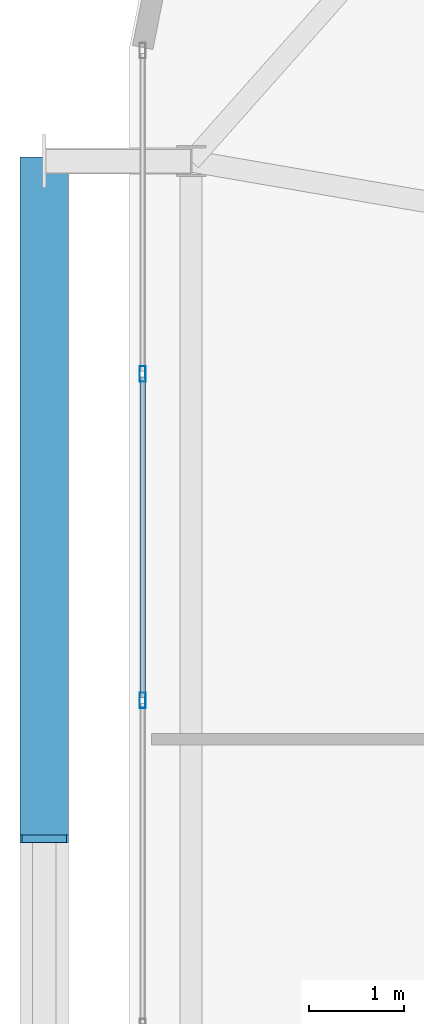
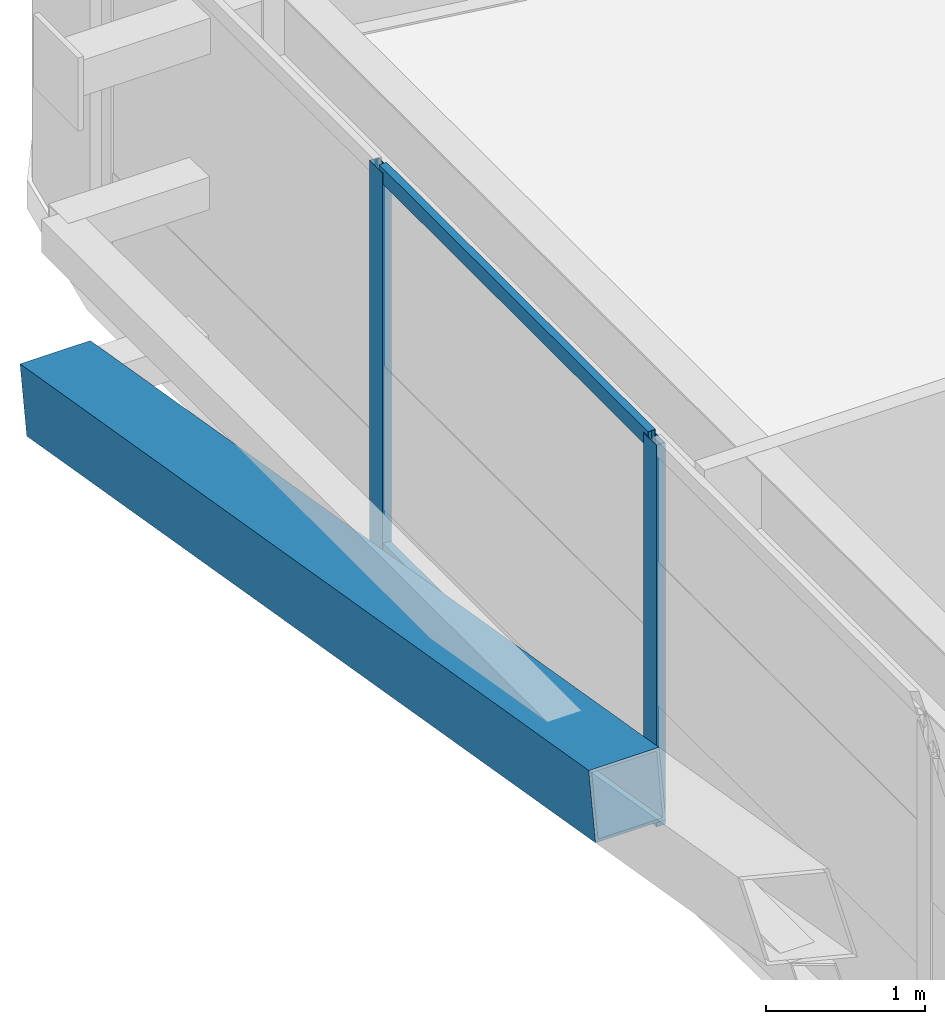
# One storey, part 18 of 58: 5 members, 1 element without a shape of its own.
"""IFC4 building model written with IfcOpenShell, lengths in metres."""

import ifcopenshell
import ifcopenshell.guid

model = None  # the IFC model being written
_history = None  # IfcOwnerHistory: only IFC2X3 demands one
_inside = {}  # id of a spatial element -> (the spatial element, [elements in it])
_under = {}  # id of a project, library or spatial element -> (it, [spatial elements below it])
_declared = {}  # id of a project -> (the project, [libraries it declares])
_typed = {}  # id of a type object -> (the type object, [elements of that type])
_made_of = {}  # id of a material, layer set ... -> (it, [elements and type objects made of it])


def new_model(schema):
    """Start an empty IFC model of exactly this schema.

    Asked for "IFC4X3", IfcOpenShell would pick the latest addendum, in which some entities
    have other attributes; the version numbers below select the first issue.
    IFC2X3 requires an IfcOwnerHistory on every rooted entity: one is made here for all.
    """
    global model, _history
    if schema == "IFC4X3":
        model = ifcopenshell.file(schema_version=(4, 3, 0, 0))
    else:
        model = ifcopenshell.file(schema=schema)
    _inside.clear()
    _under.clear()
    _declared.clear()
    _typed.clear()
    _made_of.clear()
    _history = None
    if model.schema == "IFC2X3":
        org = make("IfcOrganization", Name="unknown")
        user = make(
            "IfcPersonAndOrganization",
            ThePerson=make("IfcPerson", FamilyName="unknown"),
            TheOrganization=org,
        )
        app = make(
            "IfcApplication",
            ApplicationDeveloper=org,
            Version="unknown",
            ApplicationFullName="unknown",
            ApplicationIdentifier="unknown",
        )
        _history = make(
            "IfcOwnerHistory",
            OwningUser=user,
            OwningApplication=app,
            ChangeAction="ADDED",
            CreationDate=0,
        )
    return model


def make(cls, **values):
    """One entity of the class cls with the attributes given. An attribute that is None is left unset."""
    return model.create_entity(
        cls, **{name: value for name, value in values.items() if value is not None}
    )


def rooted(cls, **values):
    """An entity with a GlobalId (a new one), such as an element, a storey or a relation."""
    return make(cls, GlobalId=ifcopenshell.guid.new(), OwnerHistory=_history, **values)


def si_unit(unit_type, name, prefix=None):
    """IfcSIUnit, for example si_unit("LENGTHUNIT", "METRE", prefix="MILLI")."""
    return make("IfcSIUnit", UnitType=unit_type, Prefix=prefix, Name=name)


def assignment(units):
    """IfcUnitAssignment: the units of a project."""
    return None if units is None else make("IfcUnitAssignment", Units=units)


def point(xyz):
    """IfcCartesianPoint."""
    return None if xyz is None else make("IfcCartesianPoint", Coordinates=xyz)


def direction(xyz):
    """IfcDirection."""
    return None if xyz is None else make("IfcDirection", DirectionRatios=xyz)


def frame(location, z_axis=None, x_axis=None):
    """IfcAxis2Placement3D, a coordinate frame: its origin and axes. An axis left out is left unset."""
    return make(
        "IfcAxis2Placement3D",
        Location=point(location),
        Axis=direction(z_axis),
        RefDirection=direction(x_axis),
    )


def frame_2d(location, x_axis=None):
    """IfcAxis2Placement2D, a coordinate frame in the plane: its origin and x axis."""
    return make(
        "IfcAxis2Placement2D", Location=point(location), RefDirection=direction(x_axis)
    )


def origin():
    """The frame at (0, 0, 0) with its axes left unset."""
    return frame((0.0, 0.0, 0.0))


def origin_2d():
    """The frame at (0, 0) in the plane with its x axis left unset."""
    return frame_2d((0.0, 0.0))


def place(relative_to, where):
    """IfcLocalPlacement: puts the frame where relative to a parent placement (None: the world)."""
    return make(
        "IfcLocalPlacement", PlacementRelTo=relative_to, RelativePlacement=where
    )


def context(
    kind, dimensions, precision=None, world=None, true_north=None, identifier=None
):
    """IfcGeometricRepresentationContext, for example the 3D "Model" context."""
    return make(
        "IfcGeometricRepresentationContext",
        ContextIdentifier=identifier,
        ContextType=kind,
        CoordinateSpaceDimension=dimensions,
        Precision=precision,
        WorldCoordinateSystem=world,
        TrueNorth=true_north,
    )


def subcontext(parent, identifier, kind, view, scale=None):
    """IfcGeometricRepresentationSubContext, for example "Body" below "Model"."""
    return make(
        "IfcGeometricRepresentationSubContext",
        ContextIdentifier=identifier,
        ContextType=kind,
        ParentContext=parent,
        TargetScale=scale,
        TargetView=view,
    )


def project(units=None, contexts=None):
    """IfcProject with its units and contexts."""
    return rooted(
        "IfcProject",
        Name="project",
        RepresentationContexts=contexts,
        UnitsInContext=assignment(units),
    )


def spatial(cls, under=None, at=None, **own):
    """A site, building, storey or space (cls), placed at a placement, below another one or the project."""
    s = rooted(cls, ObjectPlacement=at, **own)
    if under is not None:
        _under.setdefault(under.id(), (under, []))[1].append(s)
    return s


def profile(cls, at=None, kind="AREA", **sizes):
    """A parametric profile (cls). Its sizes go by their IFC names, for example OverallWidth=200.0."""
    return make(cls, ProfileType=kind, Position=at, **sizes)


def hollow_rectangle(**sizes):
    """IfcRectangleHollowProfileDef."""
    return profile("IfcRectangleHollowProfileDef", **sizes)


def extrude(swept, where, along, depth):
    """IfcExtrudedAreaSolid: the profile swept, set in the frame where, extruded along a direction by depth."""
    return make(
        "IfcExtrudedAreaSolid",
        SweptArea=swept,
        Position=where,
        ExtrudedDirection=direction(along),
        Depth=depth,
    )


def shape(context_of_items, identifier, shape_type, items):
    """IfcShapeRepresentation: the items that make up one representation, for example the "Body"."""
    return make(
        "IfcShapeRepresentation",
        ContextOfItems=context_of_items,
        RepresentationIdentifier=identifier,
        RepresentationType=shape_type,
        Items=items,
    )


def source(mapping_origin, context_of_items, identifier, shape_type, items):
    """IfcRepresentationMap: a shape defined once, which mapped items show again and again."""
    return make(
        "IfcRepresentationMap",
        MappingOrigin=mapping_origin,
        MappedRepresentation=shape(context_of_items, identifier, shape_type, items),
    )


def transform(
    local_origin,
    x_axis=None,
    y_axis=None,
    z_axis=None,
    scale=None,
    scale2=None,
    scale3=None,
    uniform=True,
):
    """IfcCartesianTransformationOperator3D, or its non-uniform kind. x_axis, y_axis, z_axis: its Axis1, 2, 3."""
    if uniform:
        return make(
            "IfcCartesianTransformationOperator3D",
            Axis1=direction(x_axis),
            Axis2=direction(y_axis),
            LocalOrigin=point(local_origin),
            Scale=scale,
            Axis3=direction(z_axis),
        )
    return make(
        "IfcCartesianTransformationOperator3DnonUniform",
        Axis1=direction(x_axis),
        Axis2=direction(y_axis),
        LocalOrigin=point(local_origin),
        Scale=scale,
        Axis3=direction(z_axis),
        Scale2=scale2,
        Scale3=scale3,
    )


def mapped(mapping_source, mapping_target):
    """IfcMappedItem: shows the shape of a source again, moved by a transform."""
    return make(
        "IfcMappedItem", MappingSource=mapping_source, MappingTarget=mapping_target
    )


def material(Name=None, Category=None):
    """IfcMaterial."""
    return make("IfcMaterial", Name=Name, Category=Category)


def layer(
    of_material, thickness, ventilated=None, Name=None, Category=None, Priority=None
):
    """IfcMaterialLayer: one layer of a wall or slab, of a material (None: an air gap)."""
    return make(
        "IfcMaterialLayer",
        Material=of_material,
        LayerThickness=thickness,
        IsVentilated=ventilated,
        Name=Name,
        Category=Category,
        Priority=Priority,
    )


def layer_set(layers, Name=None):
    """IfcMaterialLayerSet."""
    return make("IfcMaterialLayerSet", MaterialLayers=layers, LayerSetName=Name)


def material_profile(
    of_material, cross_section, Name=None, Category=None, Priority=None
):
    """IfcMaterialProfile: a cross section and its material."""
    return make(
        "IfcMaterialProfile",
        Name=Name,
        Material=of_material,
        Profile=cross_section,
        Priority=Priority,
        Category=Category,
    )


def profile_set(profiles, Name=None, composite=None):
    """IfcMaterialProfileSet."""
    return make(
        "IfcMaterialProfileSet",
        Name=Name,
        MaterialProfiles=profiles,
        CompositeProfile=composite,
    )


def made_of(thing, what):
    """Note that an element or type object is made of a material, layer set ...; save() writes the relation."""
    if what is not None:
        _made_of.setdefault(what.id(), (what, []))[1].append(thing)
    return thing


def type_object(cls, material=None, **own):
    """A type object (cls), such as IfcWallType, which elements share."""
    return made_of(rooted(cls, **own), material)


def element(
    cls,
    number,
    at=None,
    inside=None,
    cuts=None,
    type_object=None,
    material=None,
    context=None,
    identifier="Body",
    shape_type=None,
    held_by="IfcProductDefinitionShape",
    body=None,
    shapes=None,
    **own,
):
    """One element of the class cls, such as IfcWall. Its Tag is "e" and its number.

    at: its placement. inside: the storey or other place that contains it. cuts: it is an
    opening in that element (IfcRelVoidsElement). A single representation is given by context,
    identifier, shape_type and body (its items); several are given by shapes. held_by: the class
    of the entity that holds the representations. save() writes the other relations.
    """
    e = rooted(cls, Tag="e%d" % number, ObjectPlacement=at, **own)
    if body is not None:
        shapes = [shape(context, identifier, shape_type, body)]
    if shapes is not None:
        e.Representation = make(held_by, Representations=shapes)
    if inside is not None:
        _inside.setdefault(inside.id(), (inside, []))[1].append(e)
    if cuts is not None:
        rooted(
            "IfcRelVoidsElement", RelatingBuildingElement=cuts, RelatedOpeningElement=e
        )
    if type_object is not None:
        _typed.setdefault(type_object.id(), (type_object, []))[1].append(e)
    return made_of(e, material)


def aggregate(whole, parts):
    """IfcRelAggregates: a whole, such as a stair, and the parts it consists of."""
    return rooted("IfcRelAggregates", RelatingObject=whole, RelatedObjects=parts)


def save(model, path):
    """Write the relations noted so far, then the file.

    IfcRelAggregates (storeys below a building ...), IfcRelContainedInSpatialStructure (elements
    in a storey), IfcRelDefinesByType, IfcRelAssociatesMaterial and IfcRelDeclares: one each for
    every whole, place, type object, material and project.
    """
    for whole, parts in _under.values():
        aggregate(whole, parts)
    for where, things in _inside.values():
        rooted(
            "IfcRelContainedInSpatialStructure",
            RelatedElements=things,
            RelatingStructure=where,
        )
    for kind, things in _typed.values():
        rooted("IfcRelDefinesByType", RelatedObjects=things, RelatingType=kind)
    for what, things in _made_of.values():
        rooted("IfcRelAssociatesMaterial", RelatedObjects=things, RelatingMaterial=what)
    for by, libraries in _declared.values():
        rooted("IfcRelDeclares", RelatingContext=by, RelatedDefinitions=libraries)
    model.write(path)


model = new_model("IFC4")

# Units and contexts
model_context = context("Model", 3, precision=1e-05, world=origin(), true_north=direction((0.0, 1.0)))
body_context = subcontext(model_context, "Body", "Model", "MODEL_VIEW")
ifc_project = project(units=[si_unit("LENGTHUNIT", "METRE"), si_unit("AREAUNIT", "SQUARE_METRE"), si_unit("VOLUMEUNIT", "CUBIC_METRE"), si_unit("PLANEANGLEUNIT", "RADIAN"), si_unit("MASSUNIT", "GRAM", prefix="KILO")], contexts=[model_context])

# Site, building, storey
site_placement = place(None, origin())
site = spatial("IfcSite", under=ifc_project, at=site_placement, CompositionType="ELEMENT")
building_placement = place(site_placement, origin())
building = spatial("IfcBuilding", under=site, at=building_placement, Name="Taldren Reach Tower", CompositionType="ELEMENT")
storey_placement = place(building_placement, frame((0.0, 0.0, 54.60009765625)))
storey = spatial("IfcBuildingStorey", under=building, at=storey_placement, Name="L16", CompositionType="ELEMENT", Elevation=54.60009765625)

# Member
ifc_material_1 = material(Name="Steel Gr 450 (C450L0)", Category="steel")
ifc_material_profile_1 = material_profile(ifc_material_1, hollow_rectangle(XDim=0.510009765625, YDim=0.510009765625, WallThickness=0.02001953125, at=origin_2d()), Name="510x510x20.0SHS")
ifc_profile_set_1 = profile_set([ifc_material_profile_1], Name="Steel Gr 450 (C450L0)")
member_type_1 = type_object("IfcMemberType", Name="MB-EXO508", PredefinedType="BRACE", material=ifc_profile_set_1)
shared_shape_1 = source(origin(), body_context, "Body", "SweptSolid", [
    extrude(hollow_rectangle(XDim=0.510009765625, YDim=0.510009765625, WallThickness=0.02001953125, at=origin_2d()), origin(), (0.0, 0.0, 1.0), 7.252685546875),
])
member_1_placement = place(storey_placement, frame((4.10009765625, 34.300048828125, 0.219970703125), z_axis=(0.0, -0.985871360071, 0.167504213054), x_axis=(1.0, 0.0, 0.0)))
element("IfcMember", 1, at=member_1_placement, inside=storey, type_object=member_type_1, Name="Exoskeleton Diagrid Brace B1-W2 L16", PredefinedType="BRACE", context=body_context, shape_type="MappedRepresentation", body=[
    mapped(shared_shape_1, transform((0.0, 0.0, 0.0), scale=1.0)),
])

# Curtain wall, members
ifc_material_2 = material(Name="Aluminium and Low-E Glass Unitised System", Category="aluminium")
ifc_layer = layer(ifc_material_2, 0.159912109375)
ifc_layer_set = layer_set([ifc_layer], Name="Aluminium and Low-E Glass Unitised System")
curtain_wall_type = type_object("IfcCurtainWallType", Name="CW-SYS-2", PredefinedType="NOTDEFINED", material=ifc_layer_set)
curtain_wall_placement = place(storey_placement, origin())
curtain_wall = element("IfcCurtainWall", 2, at=curtain_wall_placement, inside=storey, type_object=curtain_wall_type, Name="Unitised curtain wall CW-L16-W", PredefinedType="NOTDEFINED")
ifc_material_3 = material(Name="Anodised Aluminium 6063-T6", Category="aluminium")
ifc_material_profile_2 = material_profile(ifc_material_3, hollow_rectangle(XDim=0.06494140625, YDim=0.1650390625, WallThickness=0.00390625, at=origin_2d()), Name="ALU-165x65x4RHS")
ifc_profile_set_2 = profile_set([ifc_material_profile_2], Name="Anodised Aluminium 6063-T6")
member_type_2 = type_object("IfcMemberType", Name="CW-MUL-165", PredefinedType="MULLION", material=ifc_profile_set_2)
shared_shape_2 = source(origin(), body_context, "Body", "SweptSolid", [
    extrude(hollow_rectangle(XDim=0.06494140625, YDim=0.1650390625, WallThickness=0.00390625, at=origin_2d()), origin(), (0.0, 0.0, 1.0), 2.929931640625),
])
member_2_placement = place(storey_placement, frame((5.139892578125, 32.0556640625, 0.0), z_axis=(0.0, 0.0, 1.0), x_axis=(1.0, 0.0, 0.0)))
member_2 = element("IfcMember", 3, at=member_2_placement, type_object=member_type_2, Name="CW-2 mullion 2", PredefinedType="MULLION", context=body_context, shape_type="MappedRepresentation", body=[
    mapped(shared_shape_2, transform((0.0, 0.0, 0.0), scale=1.0)),
])
member_3_placement = place(storey_placement, frame((5.139892578125, 28.611083984375, 0.0), z_axis=(0.0, 0.0, 1.0), x_axis=(1.0, 0.0, 0.0)))
member_3 = element("IfcMember", 4, at=member_3_placement, type_object=member_type_2, Name="CW-2 mullion 3", PredefinedType="MULLION", context=body_context, shape_type="MappedRepresentation", body=[
    mapped(shared_shape_2, transform((0.0, 0.0, 0.0), scale=1.0)),
])
ifc_material_profile_3 = material_profile(ifc_material_3, hollow_rectangle(XDim=0.054931640625, YDim=0.1201171875, WallThickness=0.0029296875, at=origin_2d()), Name="ALU-120x55x3RHS")
ifc_profile_set_3 = profile_set([ifc_material_profile_3], Name="Anodised Aluminium 6063-T6")
member_type_3 = type_object("IfcMemberType", Name="CW-TRN-135", PredefinedType="USERDEFINED", material=ifc_profile_set_3)
shared_shape_3 = source(origin(), body_context, "Body", "SweptSolid", [
    extrude(hollow_rectangle(XDim=0.054931640625, YDim=0.1201171875, WallThickness=0.0029296875, at=origin_2d()), origin(), (0.0, 0.0, 1.0), 3.37939453125),
])
member_4_placement = place(storey_placement, frame((5.139892578125, 32.02294921875, 0.02734375), z_axis=(0.0, -1.0, 0.0), x_axis=(1.0, 0.0, 0.0)))
member_4 = element("IfcMember", 5, at=member_4_placement, type_object=member_type_3, Name="CW-2 transom 2.1", ObjectType="TRANSOM", PredefinedType="USERDEFINED", context=body_context, shape_type="MappedRepresentation", body=[
    mapped(shared_shape_3, transform((0.0, 0.0, 0.0), scale=1.0)),
])
member_5_placement = place(storey_placement, frame((5.139892578125, 32.02294921875, 2.90234375), z_axis=(0.0, -1.0, 0.0), x_axis=(1.0, 0.0, 0.0)))
member_5 = element("IfcMember", 6, at=member_5_placement, type_object=member_type_3, Name="CW-2 transom 2.2", ObjectType="TRANSOM", PredefinedType="USERDEFINED", context=body_context, shape_type="MappedRepresentation", body=[
    mapped(shared_shape_3, transform((0.0, 0.0, 0.0), scale=1.0)),
])
aggregate(curtain_wall, [member_2, member_3, member_4, member_5])

save(model, "model.ifc")
